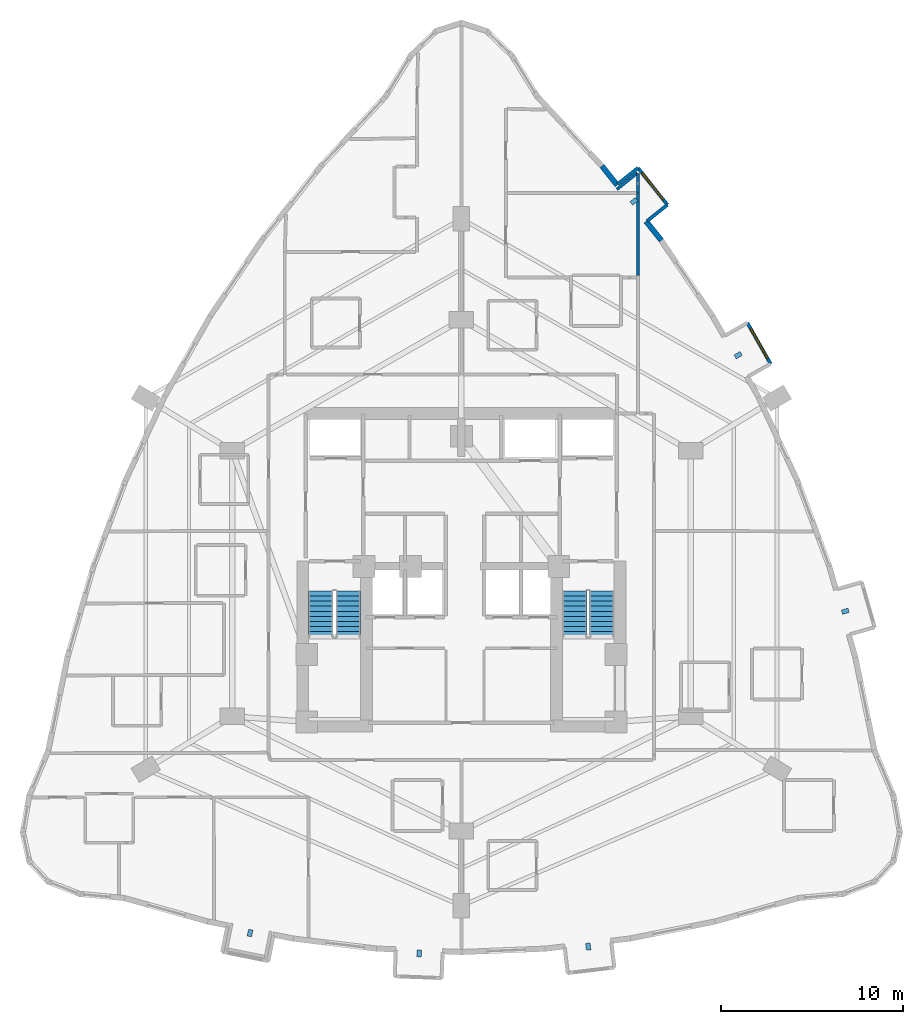
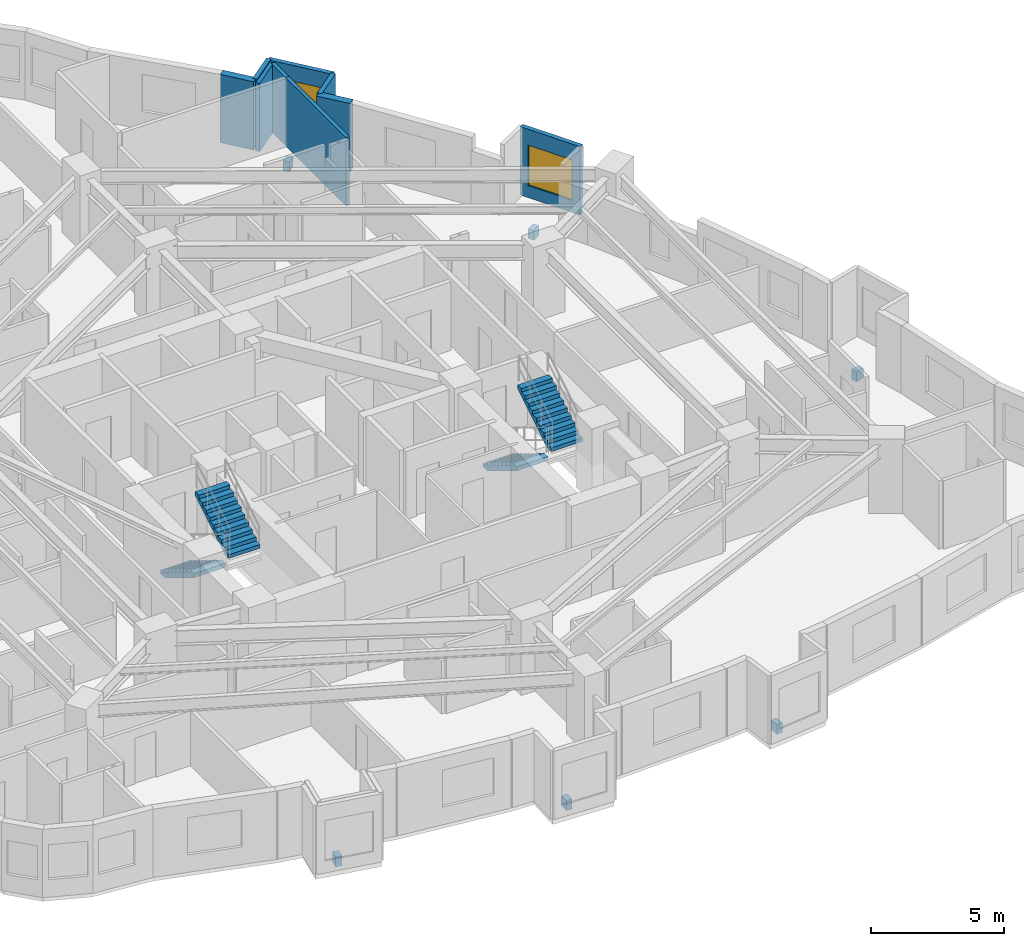
# One storey, part 13 of 14: 9 walls, 6 discrete accessories, 4 stair flights, 2 windows, 2 openings, 2 elements without a shape of their own.
"""IFC4 building model written with IfcOpenShell, lengths in metres."""

from ifc_helpers import new_model, si_unit, direction, frame, frame_2d, origin, origin_2d, place, context, subcontext, project, spatial, polyline, rectangle, outline, extrude, material, layer, layer_set, type_object, element, fill, aggregate, save


model = new_model("IFC4")

# Units and contexts
model_context = context("Model", 3, precision=1e-05, world=origin(), true_north=direction((0.0, 1.0)))
body_context = subcontext(model_context, "Body", "Model", "MODEL_VIEW")
ifc_project = project(units=[si_unit("LENGTHUNIT", "METRE"), si_unit("AREAUNIT", "SQUARE_METRE"), si_unit("VOLUMEUNIT", "CUBIC_METRE"), si_unit("PLANEANGLEUNIT", "RADIAN"), si_unit("MASSUNIT", "GRAM", prefix="KILO")], contexts=[model_context])

# Site, building, storey
site_placement = place(None, origin())
site = spatial("IfcSite", under=ifc_project, at=site_placement, CompositionType="ELEMENT")
building_placement = place(site_placement, origin())
building = spatial("IfcBuilding", under=site, at=building_placement, Name="Miruveldt Soraemaru", CompositionType="ELEMENT")
storey_placement = place(building_placement, frame((0.0, 0.0, 80.199951171875)))
storey = spatial("IfcBuildingStorey", under=building, at=storey_placement, Name="L22", CompositionType="ELEMENT", Elevation=80.199951171875)

# Wall, opening, window
ifc_material_1 = material(Name="White powder-coated aluminium EN AW-6060 T6", Category="aluminium")
ifc_layer_1 = layer(ifc_material_1, 0.18994140625, Name="White powder-coated aluminium EN AW-6060 T6", Category="aluminium")
ifc_layer_set_1 = layer_set([ifc_layer_1], Name="White powder-coated aluminium EN AW-6060 T6")
wall_type_1 = type_object("IfcWallType", Name="WALL-BAY-ALU190", PredefinedType="SOLIDWALL", material=ifc_layer_set_1)
wall_1_placement = place(storey_placement, frame((61.008056640625, 55.1826171875, 0.0), z_axis=(0.0, 0.0, 1.0), x_axis=(-0.493436596611, 0.869781768678, 0.0)))
wall_1 = element("IfcWall", 1, at=wall_1_placement, inside=storey, type_object=wall_type_1, Name="L22 Bay Window Front Frame 5", PredefinedType="SOLIDWALL", context=body_context, shape_type="SweptSolid", body=[
    extrude(rectangle(XDim=2.60009765625, YDim=0.18994140625, at=frame_2d((1.300048828125, 0.0))), origin(), (0.0, 0.0, 1.0), 3.125),
])
opening_1_placement = place(wall_1_placement, frame((0.35009765625, 0.0, 0.550048828125)))
opening_1 = element("IfcOpeningElement", 2, at=opening_1_placement, cuts=wall_1, Name="Opening WN-6", PredefinedType="OPENING", context=body_context, shape_type="SweptSolid", body=[
    extrude(rectangle(XDim=1.89990234375, YDim=1.85009765625, at=frame_2d((0.949951171875, 0.925048828125))), frame((0.0, 0.10498046875, 0.0), z_axis=(0.0, -1.0, 0.0), x_axis=(1.0, 0.0, 0.0)), (0.0, 0.0, 1.0), 0.2099609375),
])
ifc_material_2 = material(Name="Triple low-e insulated glazing", Category="glass")
window_type = type_object("IfcWindowType", Name="WIN-BAYW-1900x1850", PartitioningType="SINGLE_PANEL", PredefinedType="WINDOW", material=ifc_material_2)
window_1_placement = place(opening_1_placement, origin())
window_1 = element("IfcWindow", 3, at=window_1_placement, inside=storey, type_object=window_type, Name="L22 Projecting Bay Window 5", OverallHeight=1.85009765625, OverallWidth=1.89990234375, PartitioningType="SINGLE_PANEL", PredefinedType="WINDOW", context=body_context, shape_type="SweptSolid", body=[
    extrude(rectangle(XDim=1.89990234375, YDim=1.85009765625, at=frame_2d((0.949951171875, 0.925048828125))), frame((0.0, 0.030029296875, 0.0), z_axis=(0.0, -1.0, 0.0), x_axis=(1.0, 0.0, 0.0)), (0.0, 0.0, 1.0), 0.06005859375),
])
fill(opening_1, window_1)

# Walls
for number, where, z_axis, x_axis, name in (
    (4, (54.21728515625, 63.038818359375, 0.0), (0.0, 0.0, 1.0), (0.781737193764, 0.623608017817, 0.0), "L22 Bay Window Side Cheek 6L"),
    (5, (53.7099609375, 65.9599609375, 0.0), (0.0, 0.0, 1.0), (-0.781737193764, -0.623608017817, 0.0), "L22 Bay Window Side Cheek 6R"),
):
    element("IfcWall", number, at=place(storey_placement, frame(where, z_axis=z_axis, x_axis=x_axis)), inside=storey, type_object=wall_type_1, Name=name, PredefinedType="SOLIDWALL", context=body_context, shape_type="SweptSolid", body=[
        extrude(rectangle(XDim=1.425048828125, YDim=0.18994140625, at=frame_2d((0.71240234375, 0.0))), origin(), (0.0, 0.0, 1.0), 3.125),
    ])

# Wall, opening, window
wall_2_placement = place(storey_placement, frame((55.331298828125, 63.927490234375, 0.0), z_axis=(0.0, 0.0, 1.0), x_axis=(-0.623606546405, 0.781738367538, 0.0)))
wall_2 = element("IfcWall", 6, at=wall_2_placement, inside=storey, type_object=wall_type_1, Name="L22 Bay Window Front Frame 6", PredefinedType="SOLIDWALL", context=body_context, shape_type="SweptSolid", body=[
    extrude(rectangle(XDim=2.599853515625, YDim=0.18994140625, at=frame_2d((1.2998046875, 0.0))), origin(), (0.0, 0.0, 1.0), 3.125),
])
opening_2_placement = place(wall_2_placement, frame((0.35009765625, 0.0, 0.550048828125)))
opening_2 = element("IfcOpeningElement", 7, at=opening_2_placement, cuts=wall_2, Name="Opening WN-6", PredefinedType="OPENING", context=body_context, shape_type="SweptSolid", body=[
    extrude(rectangle(XDim=1.89990234375, YDim=1.85009765625, at=frame_2d((0.949951171875, 0.925048828125))), frame((0.0, 0.10498046875, 0.0), z_axis=(0.0, -1.0, 0.0), x_axis=(1.0, 0.0, 0.0)), (0.0, 0.0, 1.0), 0.2099609375),
])
window_2_placement = place(opening_2_placement, origin())
window_2 = element("IfcWindow", 8, at=window_2_placement, inside=storey, type_object=window_type, Name="L22 Projecting Bay Window 6", OverallHeight=1.85009765625, OverallWidth=1.89990234375, PartitioningType="SINGLE_PANEL", PredefinedType="WINDOW", context=body_context, shape_type="SweptSolid", body=[
    extrude(rectangle(XDim=1.89990234375, YDim=1.85009765625, at=frame_2d((0.949951171875, 0.925048828125))), frame((0.0, 0.030029296875, 0.0), z_axis=(0.0, -1.0, 0.0), x_axis=(1.0, 0.0, 0.0)), (0.0, 0.0, 1.0), 0.06005859375),
])
fill(opening_2, window_2)

# Walls
ifc_material_3 = material(Name="Precast concrete C45/55 (45 MPa)", Category="concrete")
ifc_layer_2 = layer(ifc_material_3, 0.300048828125, Name="Precast concrete C45/55 (45 MPa)", Category="concrete")
ifc_layer_set_2 = layer_set([ifc_layer_2], Name="Precast concrete C45/55 (45 MPa)")
wall_type_2 = type_object("IfcWallType", Name="WALL-EXT-PC300", PredefinedType="SOLIDWALL", material=ifc_layer_set_2)
wall_3_placement = place(storey_placement, frame((54.994384765625, 61.9765625, 0.0), z_axis=(0.0, 0.0, 1.0), x_axis=(-0.623521103604, 0.781806519134, 0.0)))
element("IfcWall", 9, at=wall_3_placement, inside=storey, type_object=wall_type_2, Name="L22 Precast Pier Wall 41A", PredefinedType="SOLIDWALL", context=body_context, shape_type="SweptSolid", body=[
    extrude(rectangle(XDim=1.344970703125, YDim=0.300048828125, at=frame_2d((0.67236328125, 0.0))), origin(), (0.0, 0.0, 1.0), 3.125),
])
wall_4_placement = place(storey_placement, frame((52.57177734375, 65.013427734375, 0.0), z_axis=(0.0, 0.0, 1.0), x_axis=(-0.623609598229, 0.781735933034, 0.0)))
element("IfcWall", 10, at=wall_4_placement, inside=storey, type_object=wall_type_2, Name="L22 Precast Pier Wall 41B", PredefinedType="SOLIDWALL", context=body_context, shape_type="SweptSolid", body=[
    extrude(rectangle(XDim=1.3447265625, YDim=0.300048828125, at=frame_2d((0.67236328125, 0.0))), origin(), (0.0, 0.0, 1.0), 3.125),
])
ifc_material_4 = material(Name="Concrete C40/50 (40 MPa)", Category="concrete")
ifc_layer_3 = layer(ifc_material_4, 0.159912109375, Name="Concrete C40/50 (40 MPa)", Category="concrete")
ifc_layer_set_3 = layer_set([ifc_layer_3], Name="Concrete C40/50 (40 MPa)")
wall_type_3 = type_object("IfcWallType", Name="WALL-INT-RC160", PredefinedType="SOLIDWALL", material=ifc_layer_set_3)
wall_5_placement = place(storey_placement, frame((53.7099609375, 64.577880859375, 0.0), z_axis=(0.0, 0.0, 1.0), x_axis=(0.0, -1.0, 0.0)))
element("IfcWall", 11, at=wall_5_placement, inside=storey, type_object=wall_type_3, Name="L22 Partition Wall 94", PredefinedType="SOLIDWALL", context=body_context, shape_type="SweptSolid", body=[
    extrude(rectangle(XDim=4.546875, YDim=0.159912109375, at=frame_2d((2.2734375, 0.0))), origin(), (0.0, 0.0, 1.0), 3.125),
])
wall_6_placement = place(storey_placement, frame((53.7099609375, 64.577880859375, 0.0), z_axis=(0.0, 0.0, 1.0), x_axis=(0.0, 1.0, 0.0)))
element("IfcWall", 12, at=wall_6_placement, inside=storey, type_object=wall_type_3, Name="L22 Partition Wall 49", PredefinedType="SOLIDWALL", context=body_context, shape_type="SweptSolid", body=[
    extrude(rectangle(XDim=1.06103515625, YDim=0.159912109375, at=frame_2d((0.530517578125, 0.0))), origin(), (0.0, 0.0, 1.0), 3.125),
])
wall_7_placement = place(storey_placement, frame((52.549072265625, 64.778076171875, 0.0), z_axis=(0.0, 0.0, 1.0), x_axis=(0.781626838512, 0.623746330906, 0.0)))
element("IfcWall", 13, at=wall_7_placement, inside=storey, type_object=wall_type_3, Name="L22 Partition Wall 95", PredefinedType="SOLIDWALL", context=body_context, shape_type="SweptSolid", body=[
    extrude(rectangle(XDim=1.4443359375, YDim=0.159912109375, at=frame_2d((0.72216796875, 0.0))), origin(), (0.0, 0.0, 1.0), 3.125),
])

# Stair, stair flights
stair_type = type_object("IfcStairType", Name="STAIR-DL-340", PredefinedType="HALF_TURN_STAIR", material=ifc_material_4)
stair_1_placement = place(storey_placement, origin())
stair_1 = element("IfcStair", 14, at=stair_1_placement, inside=storey, type_object=stair_type, Name="L22 Protected Exit Stair ST-1", PredefinedType="HALF_TURN_STAIR")
stair_flight_type = type_object("IfcStairFlightType", Name="SFL-DL-340", PredefinedType="STRAIGHT", material=ifc_material_4)
stair_flight_1_placement = place(storey_placement, frame((36.27490234375, 42.699951171875, 0.0), z_axis=(0.0, 0.0, 1.0), x_axis=(0.0, -1.0, 0.0)))
stair_flight_1 = element("IfcStairFlight", 15, at=stair_flight_1_placement, type_object=stair_flight_type, Name="ST-1 flight 1", NumberOfRisers=10, NumberOfTreads=9, PredefinedType="STRAIGHT", RiserHeight=0.17, TreadLength=0.28, context=body_context, shape_type="SweptSolid", body=[
    extrude(outline(polyline([(0.0, 0.0), (0.0, 0.169921875), (0.280029296875, 0.169921875), (0.280029296875, 0.340087890625), (0.56005859375, 0.340087890625), (0.56005859375, 0.510009765625), (0.840087890625, 0.510009765625), (0.840087890625, 0.679931640625), (1.1201171875, 0.679931640625), (1.1201171875, 0.85009765625), (1.39990234375, 0.85009765625), (1.39990234375, 1.02001953125), (1.679931640625, 1.02001953125), (1.679931640625, 1.18994140625), (1.9599609375, 1.18994140625), (1.9599609375, 1.360107421875), (2.239990234375, 1.360107421875), (2.239990234375, 1.530029296875), (2.52001953125, 1.530029296875), (2.52001953125, 1.699951171875), (2.52001953125, 1.343017578125), (0.30810546875, 0.0), (0.0, 0.0)])), frame((0.0, 0.675048828125, 0.0), z_axis=(0.0, -1.0, 0.0), x_axis=(1.0, 0.0, 0.0)), (0.0, 0.0, 1.0), 1.35009765625),
])
stair_flight_2_placement = place(storey_placement, frame((37.77490234375, 40.179931640625, 1.699951171875), z_axis=(0.0, 0.0, 1.0), x_axis=(0.0, 1.0, 0.0)))
stair_flight_2 = element("IfcStairFlight", 16, at=stair_flight_2_placement, type_object=stair_flight_type, Name="ST-1 flight 2", NumberOfRisers=10, NumberOfTreads=9, PredefinedType="STRAIGHT", RiserHeight=0.17, TreadLength=0.28, context=body_context, shape_type="SweptSolid", body=[
    extrude(outline(polyline([(0.0, 0.0), (0.0, 0.169921875), (0.280029296875, 0.169921875), (0.280029296875, 0.340087890625), (0.56005859375, 0.340087890625), (0.56005859375, 0.510009765625), (0.840087890625, 0.510009765625), (0.840087890625, 0.679931640625), (1.1201171875, 0.679931640625), (1.1201171875, 0.85009765625), (1.39990234375, 0.85009765625), (1.39990234375, 1.02001953125), (1.679931640625, 1.02001953125), (1.679931640625, 1.18994140625), (1.9599609375, 1.18994140625), (1.9599609375, 1.360107421875), (2.239990234375, 1.360107421875), (2.239990234375, 1.530029296875), (2.52001953125, 1.530029296875), (2.52001953125, 1.699951171875), (2.52001953125, 1.343017578125), (0.30810546875, 0.0), (0.0, 0.0)])), frame((0.0, 0.675048828125, 0.0), z_axis=(0.0, -1.0, 0.0), x_axis=(1.0, 0.0, 0.0)), (0.0, 0.0, 1.0), 1.35009765625),
])
aggregate(stair_1, [stair_flight_1, stair_flight_2])

stair_2_placement = place(storey_placement, origin())
stair_2 = element("IfcStair", 17, at=stair_2_placement, inside=storey, type_object=stair_type, Name="L22 Protected Exit Stair ST-2", PredefinedType="HALF_TURN_STAIR")
stair_flight_3_placement = place(storey_placement, frame((50.22509765625, 42.699951171875, 0.0), z_axis=(0.0, 0.0, 1.0), x_axis=(0.0, -1.0, 0.0)))
stair_flight_3 = element("IfcStairFlight", 18, at=stair_flight_3_placement, type_object=stair_flight_type, Name="ST-2 flight 1", NumberOfRisers=10, NumberOfTreads=9, PredefinedType="STRAIGHT", RiserHeight=0.17, TreadLength=0.28, context=body_context, shape_type="SweptSolid", body=[
    extrude(outline(polyline([(0.0, 0.0), (0.0, 0.169921875), (0.280029296875, 0.169921875), (0.280029296875, 0.340087890625), (0.56005859375, 0.340087890625), (0.56005859375, 0.510009765625), (0.840087890625, 0.510009765625), (0.840087890625, 0.679931640625), (1.1201171875, 0.679931640625), (1.1201171875, 0.85009765625), (1.39990234375, 0.85009765625), (1.39990234375, 1.02001953125), (1.679931640625, 1.02001953125), (1.679931640625, 1.18994140625), (1.9599609375, 1.18994140625), (1.9599609375, 1.360107421875), (2.239990234375, 1.360107421875), (2.239990234375, 1.530029296875), (2.52001953125, 1.530029296875), (2.52001953125, 1.699951171875), (2.52001953125, 1.343017578125), (0.30810546875, 0.0), (0.0, 0.0)])), frame((0.0, 0.675048828125, 0.0), z_axis=(0.0, -1.0, 0.0), x_axis=(1.0, 0.0, 0.0)), (0.0, 0.0, 1.0), 1.35009765625),
])
stair_flight_4_placement = place(storey_placement, frame((51.72509765625, 40.179931640625, 1.699951171875), z_axis=(0.0, 0.0, 1.0), x_axis=(0.0, 1.0, 0.0)))
stair_flight_4 = element("IfcStairFlight", 19, at=stair_flight_4_placement, type_object=stair_flight_type, Name="ST-2 flight 2", NumberOfRisers=10, NumberOfTreads=9, PredefinedType="STRAIGHT", RiserHeight=0.17, TreadLength=0.28, context=body_context, shape_type="SweptSolid", body=[
    extrude(outline(polyline([(0.0, 0.0), (0.0, 0.169921875), (0.280029296875, 0.169921875), (0.280029296875, 0.340087890625), (0.56005859375, 0.340087890625), (0.56005859375, 0.510009765625), (0.840087890625, 0.510009765625), (0.840087890625, 0.679931640625), (1.1201171875, 0.679931640625), (1.1201171875, 0.85009765625), (1.39990234375, 0.85009765625), (1.39990234375, 1.02001953125), (1.679931640625, 1.02001953125), (1.679931640625, 1.18994140625), (1.9599609375, 1.18994140625), (1.9599609375, 1.360107421875), (2.239990234375, 1.360107421875), (2.239990234375, 1.530029296875), (2.52001953125, 1.530029296875), (2.52001953125, 1.699951171875), (2.52001953125, 1.343017578125), (0.30810546875, 0.0), (0.0, 0.0)])), frame((0.0, 0.675048828125, 0.0), z_axis=(0.0, -1.0, 0.0), x_axis=(1.0, 0.0, 0.0)), (0.0, 0.0, 1.0), 1.35009765625),
])
aggregate(stair_2, [stair_flight_3, stair_flight_4])

# Discrete accessories
ifc_material_5 = material(Name="Steel SM355 (355 MPa)", Category="steel")
discrete_accessory_type = type_object("IfcDiscreteAccessoryType", Name="ACC-BAY-BRK", PredefinedType="BRACKET", material=ifc_material_5)
for number, where, z_axis, x_axis, name in (
    (20, (32.3779296875, 23.88671875, -0.7197265625), (0.0, 0.0, 1.0), (-0.196100176415, -0.980583867301, 0.0), "L22 Bay Window Cantilever Bracket 1"),
    (21, (41.675537109375, 22.77099609375, -0.7197265625), (0.0, 0.0, 1.0), (-0.03997483895, -0.999200686675, 0.0), "L22 Bay Window Cantilever Bracket 2"),
    (22, (50.973388671875, 23.142822265625, -0.7197265625), (0.0, 0.0, 1.0), (0.119149147143, -0.992876367296, 0.0), "L22 Bay Window Cantilever Bracket 3"),
    (23, (65.1083984375, 41.579833984375, -0.7197265625), (0.0, 0.0, 1.0), (0.961453892845, 0.274966201438, 0.0), "L22 Bay Window Cantilever Bracket 4"),
    (24, (59.218505859375, 55.662109375, -0.7197265625), (0.0, 0.0, 1.0), (0.869830943614, 0.493349905778, 0.0), "L22 Bay Window Cantilever Bracket 5"),
    (25, (53.48876953125, 64.12060546875, -0.7197265625), (0.0, 0.0, 1.0), (0.781727315753, 0.623620400408, 0.0), "L22 Bay Window Cantilever Bracket 6"),
):
    element("IfcDiscreteAccessory", number, at=place(storey_placement, frame(where, z_axis=z_axis, x_axis=x_axis)), inside=storey, type_object=discrete_accessory_type, Name=name, PredefinedType="BRACKET", context=body_context, shape_type="SweptSolid", body=[
        extrude(rectangle(XDim=0.3798828125, YDim=0.25, at=origin_2d()), origin(), (0.0, 0.0, 1.0), 0.449951171875),
    ])

save(model, "model.ifc")
